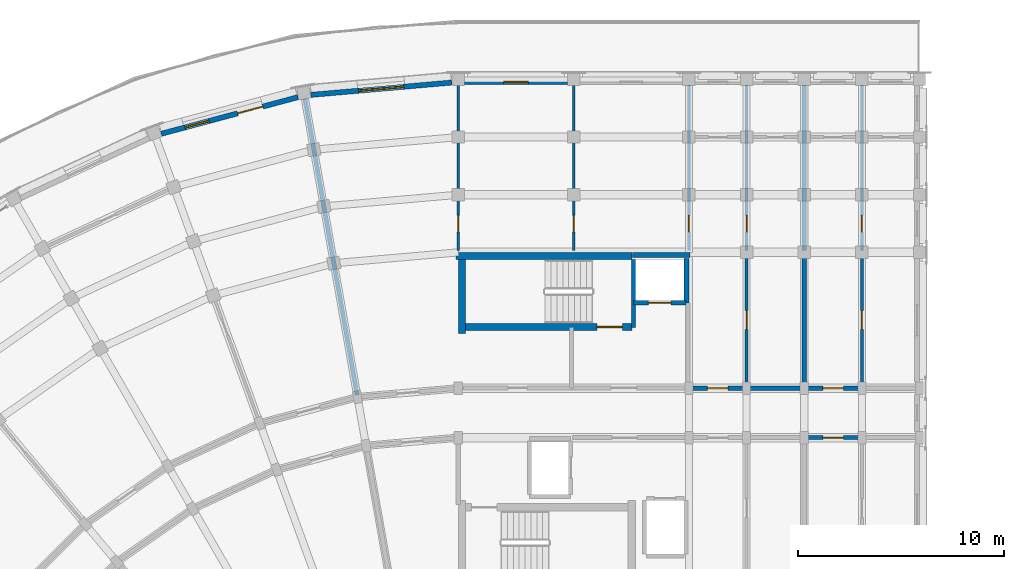
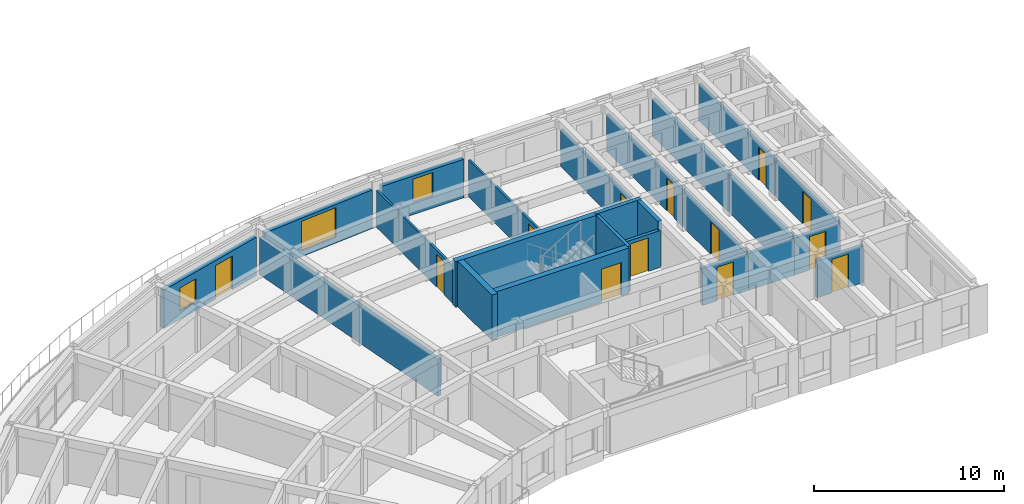
# One storey, part 15 of 32: 24 walls, 13 doors, 3 windows, 16 openings.
"""IFC4 building model written with IfcOpenShell, lengths in metres."""

from ifc_helpers import new_model, si_unit, direction, frame, frame_2d, origin, place, context, subcontext, project, spatial, rectangle, extrude, material, layer, layer_set, type_object, element, fill, save


model = new_model("IFC4")

# Units and contexts
model_context = context("Model", 3, precision=1e-05, world=origin(), true_north=direction((0.0, 1.0)))
body_context = subcontext(model_context, "Body", "Model", "MODEL_VIEW")
ifc_project = project(units=[si_unit("LENGTHUNIT", "METRE"), si_unit("AREAUNIT", "SQUARE_METRE"), si_unit("VOLUMEUNIT", "CUBIC_METRE"), si_unit("PLANEANGLEUNIT", "RADIAN"), si_unit("MASSUNIT", "GRAM", prefix="KILO")], contexts=[model_context])

# Site, building, storey
site_placement = place(None, origin())
site = spatial("IfcSite", under=ifc_project, at=site_placement, CompositionType="ELEMENT")
building_placement = place(site_placement, origin())
building = spatial("IfcBuilding", under=site, at=building_placement, Name="Kiranvali Square Residences", CompositionType="ELEMENT")
storey_placement = place(building_placement, frame((0.0, 0.0, 40.199951171875)))
storey = spatial("IfcBuildingStorey", under=building, at=storey_placement, Name="L12", CompositionType="ELEMENT", Elevation=40.199951171875)

# Wall, opening, door
ifc_material_1 = material(Name="Autoclaved aerated concrete blockwork masonry", Category="masonry")
ifc_layer_1 = layer(ifc_material_1, 0.199951171875)
ifc_layer_set_1 = layer_set([ifc_layer_1], Name="Autoclaved aerated concrete blockwork masonry")
wall_type_1 = type_object("IfcWallType", Name="WL-COR-200", PredefinedType="STANDARD", material=ifc_layer_set_1)
wall_1_placement = place(storey_placement, frame((59.39990234375, 116.0, 0.0), z_axis=(0.0, 0.0, 1.0), x_axis=(1.0, 0.0, 0.0)))
wall_1 = element("IfcWall", 1, at=wall_1_placement, inside=storey, type_object=wall_type_1, Name="L12 architectural wall WL-L12-A-A1CO-0", PredefinedType="STANDARD", context=body_context, shape_type="SweptSolid", body=[
    extrude(rectangle(XDim=2.800048828125, YDim=0.199951171875, at=frame_2d((1.39990234375, 0.0))), origin(), (0.0, 0.0, 1.0), 2.3720703125),
])
opening_1_placement = place(wall_1_placement, frame((0.89990234375, 0.0, 0.0)))
opening_1 = element("IfcOpeningElement", 2, at=opening_1_placement, cuts=wall_1, Name="Opening FD-APT-60", PredefinedType="OPENING", context=body_context, shape_type="SweptSolid", body=[
    extrude(rectangle(XDim=1.0, YDim=2.14990234375, at=frame_2d((0.5, 1.074951171875))), frame((0.0, 0.10986328125, 0.0), z_axis=(0.0, -1.0, 0.0), x_axis=(1.0, 0.0, 0.0)), (0.0, 0.0, 1.0), 0.219970703125),
])
ifc_material_2 = material(Name="Fire-rated acoustic hardwood and mineral-core door assembly", Category="wood")
door_type_1 = type_object("IfcDoorType", Name="DR-APT-1000", OperationType="NOTDEFINED", PredefinedType="DOOR", material=ifc_material_2)
door_1_placement = place(opening_1_placement, frame((1.0, 0.0, 0.0), z_axis=(0.0, 0.0, 1.0), x_axis=(-1.0, 0.0, 0.0)))
door_1 = element("IfcDoor", 3, at=door_1_placement, inside=storey, type_object=door_type_1, Name="L12 door DR-L12-0754 (DR-APT-1000)", OperationType="SINGLE_SWING_RIGHT", OverallHeight=2.14990234375, OverallWidth=1.0, PredefinedType="DOOR", context=body_context, shape_type="SweptSolid", body=[
    extrude(rectangle(XDim=1.0, YDim=2.14990234375, at=frame_2d((0.5, 1.074951171875))), frame((0.0, 0.02490234375, 0.0), z_axis=(0.0, -1.0, 0.0), x_axis=(1.0, 0.0, 0.0)), (0.0, 0.0, 1.0), 0.050048828125),
])
fill(opening_1, door_1)

# Wall
wall_2_placement = place(storey_placement, frame((62.199951171875, 116.0, 0.0), z_axis=(0.0, 0.0, 1.0), x_axis=(1.0, 0.0, 0.0)))
element("IfcWall", 4, at=wall_2_placement, inside=storey, type_object=wall_type_1, Name="L12 architectural wall WL-L12-A-A1CO-1", PredefinedType="STANDARD", context=body_context, shape_type="SweptSolid", body=[
    extrude(rectangle(XDim=2.800048828125, YDim=0.199951171875, at=frame_2d((1.39990234375, 0.0))), origin(), (0.0, 0.0, 1.0), 2.3720703125),
])

# Wall, opening, door
wall_3_placement = place(storey_placement, frame((65.0, 113.60009765625, 0.0), z_axis=(0.0, 0.0, 1.0), x_axis=(1.0, 0.0, 0.0)))
wall_3 = element("IfcWall", 5, at=wall_3_placement, inside=storey, type_object=wall_type_1, Name="L12 architectural wall WL-L12-A-A1CI-2", PredefinedType="STANDARD", context=body_context, shape_type="SweptSolid", body=[
    extrude(rectangle(XDim=2.800048828125, YDim=0.199951171875, at=frame_2d((1.39990234375, 0.0))), origin(), (0.0, 0.0, 1.0), 2.3720703125),
])
opening_2_placement = place(wall_3_placement, frame((0.89990234375, 0.0, 0.0)))
opening_2 = element("IfcOpeningElement", 6, at=opening_2_placement, cuts=wall_3, Name="Opening FD-APT-60", PredefinedType="OPENING", context=body_context, shape_type="SweptSolid", body=[
    extrude(rectangle(XDim=1.0, YDim=2.14990234375, at=frame_2d((0.5, 1.074951171875))), frame((0.0, 0.10986328125, 0.0), z_axis=(0.0, -1.0, 0.0), x_axis=(1.0, 0.0, 0.0)), (0.0, 0.0, 1.0), 0.219970703125),
])
door_2_placement = place(opening_2_placement, frame((1.0, 0.0, 0.0), z_axis=(0.0, 0.0, 1.0), x_axis=(-1.0, 0.0, 0.0)))
door_2 = element("IfcDoor", 7, at=door_2_placement, inside=storey, type_object=door_type_1, Name="L12 door DR-L12-0756 (DR-APT-1000)", OperationType="SINGLE_SWING_RIGHT", OverallHeight=2.14990234375, OverallWidth=1.0, PredefinedType="DOOR", context=body_context, shape_type="SweptSolid", body=[
    extrude(rectangle(XDim=1.0, YDim=2.14990234375, at=frame_2d((0.5, 1.074951171875))), frame((0.0, 0.02490234375, 0.0), z_axis=(0.0, -1.0, 0.0), x_axis=(1.0, 0.0, 0.0)), (0.0, 0.0, 1.0), 0.050048828125),
])
fill(opening_2, door_2)

wall_4_placement = place(storey_placement, frame((65.0, 116.0, 0.0), z_axis=(0.0, 0.0, 1.0), x_axis=(1.0, 0.0, 0.0)))
wall_4 = element("IfcWall", 8, at=wall_4_placement, inside=storey, type_object=wall_type_1, Name="L12 architectural wall WL-L12-A-A1CO-2", PredefinedType="STANDARD", context=body_context, shape_type="SweptSolid", body=[
    extrude(rectangle(XDim=2.800048828125, YDim=0.199951171875, at=frame_2d((1.39990234375, 0.0))), origin(), (0.0, 0.0, 1.0), 2.3720703125),
])
opening_3_placement = place(wall_4_placement, frame((0.89990234375, 0.0, 0.0)))
opening_3 = element("IfcOpeningElement", 9, at=opening_3_placement, cuts=wall_4, Name="Opening FD-APT-60", PredefinedType="OPENING", context=body_context, shape_type="SweptSolid", body=[
    extrude(rectangle(XDim=1.0, YDim=2.14990234375, at=frame_2d((0.5, 1.074951171875))), frame((0.0, 0.10986328125, 0.0), z_axis=(0.0, -1.0, 0.0), x_axis=(1.0, 0.0, 0.0)), (0.0, 0.0, 1.0), 0.219970703125),
])
door_3_placement = place(opening_3_placement, frame((1.0, 0.0, 0.0), z_axis=(0.0, 0.0, 1.0), x_axis=(-1.0, 0.0, 0.0)))
door_3 = element("IfcDoor", 10, at=door_3_placement, inside=storey, type_object=door_type_1, Name="L12 door DR-L12-0758 (DR-APT-1000)", OperationType="SINGLE_SWING_RIGHT", OverallHeight=2.14990234375, OverallWidth=1.0, PredefinedType="DOOR", context=body_context, shape_type="SweptSolid", body=[
    extrude(rectangle(XDim=1.0, YDim=2.14990234375, at=frame_2d((0.5, 1.074951171875))), frame((0.0, 0.02490234375, 0.0), z_axis=(0.0, -1.0, 0.0), x_axis=(1.0, 0.0, 0.0)), (0.0, 0.0, 1.0), 0.050048828125),
])
fill(opening_3, door_3)

# Walls
ifc_layer_2 = layer(ifc_material_1, 0.219970703125)
ifc_layer_set_2 = layer_set([ifc_layer_2], Name="Autoclaved aerated concrete blockwork masonry")
wall_type_2 = type_object("IfcWallType", Name="WL-DEM-220", PredefinedType="STANDARD", material=ifc_layer_set_2)
wall_5_placement = place(storey_placement, frame((65.0, 116.050048828125, 0.0), z_axis=(0.0, 0.0, 1.0), x_axis=(0.0, 1.0, 0.0)))
element("IfcWall", 11, at=wall_5_placement, inside=storey, type_object=wall_type_2, Name="L12 architectural wall WL-L12-A-A1TO1-2", PredefinedType="STANDARD", context=body_context, shape_type="SweptSolid", body=[
    extrude(rectangle(XDim=6.530029296875, YDim=0.219970703125, at=frame_2d((3.26513671875, 0.0))), origin(), (0.0, 0.0, 1.0), 2.3720703125),
])
wall_6_placement = place(storey_placement, frame((65.0, 122.699951171875, 0.0), z_axis=(0.0, 0.0, 1.0), x_axis=(0.0, 1.0, 0.0)))
element("IfcWall", 12, at=wall_6_placement, inside=storey, type_object=wall_type_2, Name="L12 architectural wall WL-L12-A-A1TO2-2", PredefinedType="STANDARD", context=body_context, shape_type="SweptSolid", body=[
    extrude(rectangle(XDim=8.02001953125, YDim=0.219970703125, at=frame_2d((4.010009765625, 0.0))), origin(), (0.0, 0.0, 1.0), 2.3720703125),
])
wall_7_placement = place(storey_placement, frame((43.28564453125, 115.670166015625, 0.0), z_axis=(0.0, 0.0, 1.0), x_axis=(-0.173639577162, 0.984809269474, 0.0)))
element("IfcWall", 13, at=wall_7_placement, inside=storey, type_object=wall_type_2, Name="L12 architectural wall WL-L12-A-RADO-1", PredefinedType="STANDARD", context=body_context, shape_type="SweptSolid", body=[
    extrude(rectangle(XDim=14.619873046875, YDim=0.219970703125, at=frame_2d((7.31005859375, 0.0))), origin(), (0.0, 0.0, 1.0), 2.3720703125),
])

# Wall, opening, window
ifc_material_3 = material(Name="Breathable lime-rendered clay brick masonry", Category="masonry")
ifc_layer_3 = layer(ifc_material_3, 0.25)
ifc_layer_set_3 = layer_set([ifc_layer_3], Name="Breathable lime-rendered clay brick masonry")
wall_type_3 = type_object("IfcWallType", Name="WL-EXT-250", PredefinedType="STANDARD", material=ifc_layer_set_3)
wall_8_placement = place(storey_placement, frame((47.886474609375, 130.84716796875, 0.0), z_axis=(0.0, 0.0, 1.0), x_axis=(-0.996193833065, -0.087165629485, 0.0)))
wall_8 = element("IfcWall", 14, at=wall_8_placement, inside=storey, type_object=wall_type_3, Name="L12 exterior wall A-L12-CRV-00", PredefinedType="STANDARD", context=body_context, shape_type="SweptSolid", body=[
    extrude(rectangle(XDim=6.87890625, YDim=0.25, at=frame_2d((3.439453125, 0.0))), origin(), (0.0, 0.0, 1.0), 2.47998046875),
])
opening_4_placement = place(wall_8_placement, frame((2.339599609375, 0.0, 0.3798828125)))
opening_4 = element("IfcOpeningElement", 15, at=opening_4_placement, cuts=wall_8, Name="Opening W-20", PredefinedType="OPENING", context=body_context, shape_type="SweptSolid", body=[
    extrude(rectangle(XDim=2.199951171875, YDim=1.89990234375, at=frame_2d((1.10009765625, 0.949951171875))), frame((0.0, 0.135009765625, 0.0), z_axis=(0.0, -1.0, 0.0), x_axis=(1.0, 0.0, 0.0)), (0.0, 0.0, 1.0), 0.27001953125),
])
ifc_material_4 = material(Name="Solar-control low-e double glazing", Category="glass")
window_type_1 = type_object("IfcWindowType", Name="WIN-TER-2200x1900", PartitioningType="TRIPLE_PANEL_VERTICAL", PredefinedType="WINDOW", material=ifc_material_4)
window_1_placement = place(opening_4_placement, origin())
window_1 = element("IfcWindow", 16, at=window_1_placement, inside=storey, type_object=window_type_1, Name="L12 recessed window A-L12-CRV-00", OverallHeight=1.89990234375, OverallWidth=2.199951171875, PartitioningType="TRIPLE_PANEL_VERTICAL", PredefinedType="WINDOW", context=body_context, shape_type="SweptSolid", body=[
    extrude(rectangle(XDim=2.199951171875, YDim=1.89990234375, at=frame_2d((1.10009765625, 0.949951171875))), frame((0.0, 0.030029296875, 0.0), z_axis=(0.0, -1.0, 0.0), x_axis=(1.0, 0.0, 0.0)), (0.0, 0.0, 1.0), 0.06005859375),
])
fill(opening_4, window_1)

# Wall, openings, door, window
wall_9_placement = place(storey_placement, frame((40.416259765625, 130.138671875, 0.0), z_axis=(0.0, 0.0, 1.0), x_axis=(-0.965921436109, -0.258835428922, 0.0)))
wall_9 = element("IfcWall", 17, at=wall_9_placement, inside=storey, type_object=wall_type_3, Name="L12 exterior wall A-L12-CRV-01", PredefinedType="STANDARD", context=body_context, shape_type="SweptSolid", body=[
    extrude(rectangle(XDim=6.87890625, YDim=0.25, at=frame_2d((3.439453125, 0.0))), origin(), (0.0, 0.0, 1.0), 2.47998046875),
])
opening_5_placement = place(wall_9_placement, frame((4.478759765625, 0.0, 0.530029296875)))
opening_5 = element("IfcOpeningElement", 18, at=opening_5_placement, cuts=wall_9, Name="Opening W-06", PredefinedType="OPENING", context=body_context, shape_type="SweptSolid", body=[
    extrude(rectangle(XDim=1.199951171875, YDim=1.5, at=frame_2d((0.60009765625, 0.75))), frame((0.0, 0.135009765625, 0.0), z_axis=(0.0, -1.0, 0.0), x_axis=(1.0, 0.0, 0.0)), (0.0, 0.0, 1.0), 0.27001953125),
])
opening_6_placement = place(wall_9_placement, frame((1.777587890625, 0.0, 0.0)))
opening_6 = element("IfcOpeningElement", 19, at=opening_6_placement, cuts=wall_9, Name="Opening ED-BAL-2", PredefinedType="OPENING", context=body_context, shape_type="SweptSolid", body=[
    extrude(rectangle(XDim=1.260009765625, YDim=2.14990234375, at=frame_2d((0.6298828125, 1.074951171875))), frame((0.0, 0.135009765625, 0.0), z_axis=(0.0, -1.0, 0.0), x_axis=(1.0, 0.0, 0.0)), (0.0, 0.0, 1.0), 0.27001953125),
])
ifc_material_5 = material(Name="Anodised bronze aluminium framing", Category="aluminium")
door_type_2 = type_object("IfcDoorType", Name="DR-BAL-1260", OperationType="NOTDEFINED", PredefinedType="DOOR", material=ifc_material_5)
door_4_placement = place(opening_6_placement, frame((1.260009765625, 0.0, 0.0), z_axis=(0.0, 0.0, 1.0), x_axis=(-1.0, 0.0, 0.0)))
door_4 = element("IfcDoor", 20, at=door_4_placement, inside=storey, type_object=door_type_2, Name="L12 balcony terrace door", OperationType="SINGLE_SWING_RIGHT", OverallHeight=2.14990234375, OverallWidth=1.260009765625, PredefinedType="DOOR", context=body_context, shape_type="SweptSolid", body=[
    extrude(rectangle(XDim=1.260009765625, YDim=2.14990234375, at=frame_2d((0.6298828125, 1.074951171875))), frame((0.0, 0.02490234375, 0.0), z_axis=(0.0, -1.0, 0.0), x_axis=(1.0, 0.0, 0.0)), (0.0, 0.0, 1.0), 0.050048828125),
])
fill(opening_6, door_4)
window_type_2 = type_object("IfcWindowType", Name="WIN-RES-1200x1500", PartitioningType="SINGLE_PANEL", PredefinedType="WINDOW", material=ifc_material_4)
window_2_placement = place(opening_5_placement, origin())
window_2 = element("IfcWindow", 21, at=window_2_placement, inside=storey, type_object=window_type_2, Name="L12 recessed window A-L12-CRV-01", OverallHeight=1.5, OverallWidth=1.199951171875, PartitioningType="SINGLE_PANEL", PredefinedType="WINDOW", context=body_context, shape_type="SweptSolid", body=[
    extrude(rectangle(XDim=1.199951171875, YDim=1.5, at=frame_2d((0.60009765625, 0.75))), frame((0.0, 0.030029296875, 0.0), z_axis=(0.0, -1.0, 0.0), x_axis=(1.0, 0.0, 0.0)), (0.0, 0.0, 1.0), 0.06005859375),
])
fill(opening_5, window_2)

# Wall, opening, window
wall_10_placement = place(storey_placement, frame((48.50341796875, 130.875, 0.0), z_axis=(0.0, 0.0, 1.0), x_axis=(1.0, 0.0, 0.0)))
wall_10 = element("IfcWall", 22, at=wall_10_placement, inside=storey, type_object=wall_type_3, Name="L12 exterior wall A-L12-A1O-0", PredefinedType="STANDARD", context=body_context, shape_type="SweptSolid", body=[
    extrude(rectangle(XDim=4.9931640625, YDim=0.25, at=frame_2d((2.49658203125, 0.0))), origin(), (0.0, 0.0, 1.0), 2.47998046875),
])
opening_7_placement = place(wall_10_placement, frame((1.896484375, 0.0, 0.780029296875)))
opening_7 = element("IfcOpeningElement", 23, at=opening_7_placement, cuts=wall_10, Name="Opening W-06", PredefinedType="OPENING", context=body_context, shape_type="SweptSolid", body=[
    extrude(rectangle(XDim=1.199951171875, YDim=1.5, at=frame_2d((0.60009765625, 0.75))), frame((0.0, 0.135009765625, 0.0), z_axis=(0.0, -1.0, 0.0), x_axis=(1.0, 0.0, 0.0)), (0.0, 0.0, 1.0), 0.27001953125),
])
window_3_placement = place(opening_7_placement, origin())
window_3 = element("IfcWindow", 24, at=window_3_placement, inside=storey, type_object=window_type_2, Name="L12 recessed window A-L12-A1O-0", OverallHeight=1.5, OverallWidth=1.199951171875, PartitioningType="SINGLE_PANEL", PredefinedType="WINDOW", context=body_context, shape_type="SweptSolid", body=[
    extrude(rectangle(XDim=1.199951171875, YDim=1.5, at=frame_2d((0.60009765625, 0.75))), frame((0.0, 0.030029296875, 0.0), z_axis=(0.0, -1.0, 0.0), x_axis=(1.0, 0.0, 0.0)), (0.0, 0.0, 1.0), 0.06005859375),
])
fill(opening_7, window_3)

# Wall, opening, door
ifc_layer_4 = layer(ifc_material_1, 0.199951171875)
ifc_layer_set_4 = layer_set([ifc_layer_4], Name="Autoclaved aerated concrete blockwork masonry")
wall_type_4 = type_object("IfcWallType", Name="WL-FFL-200", PredefinedType="STANDARD", material=ifc_layer_set_4)
wall_11_placement = place(storey_placement, frame((56.699951171875, 120.14990234375, 0.0), z_axis=(0.0, 0.0, 1.0), x_axis=(1.0, 0.0, 0.0)))
wall_11 = element("IfcWall", 25, at=wall_11_placement, inside=storey, type_object=wall_type_4, Name="L12 architectural wall WL-L12-A-FF-LFT", PredefinedType="STANDARD", context=body_context, shape_type="SweptSolid", body=[
    extrude(rectangle(XDim=2.550048828125, YDim=0.199951171875, at=frame_2d((1.27490234375, 0.0))), origin(), (0.0, 0.0, 1.0), 2.3720703125),
])
opening_8_placement = place(wall_11_placement, frame((0.72509765625, 0.0, 0.0)))
opening_8 = element("IfcOpeningElement", 26, at=opening_8_placement, cuts=wall_11, Name="Opening LD-FF-110", PredefinedType="OPENING", context=body_context, shape_type="SweptSolid", body=[
    extrude(rectangle(XDim=1.10009765625, YDim=2.14990234375, at=frame_2d((0.550048828125, 1.074951171875))), frame((0.0, 0.10986328125, 0.0), z_axis=(0.0, -1.0, 0.0), x_axis=(1.0, 0.0, 0.0)), (0.0, 0.0, 1.0), 0.219970703125),
])
door_type_3 = type_object("IfcDoorType", Name="DR-LIFT-FF-1100", OperationType="SLIDING_TO_LEFT", PredefinedType="DOOR", material=ifc_material_2)
door_5_placement = place(opening_8_placement, origin())
door_5 = element("IfcDoor", 27, at=door_5_placement, inside=storey, type_object=door_type_3, Name="L12 door DR-L12-0742 (DR-LIFT-FF-1100)", OperationType="SLIDING_TO_LEFT", OverallHeight=2.14990234375, OverallWidth=1.10009765625, PredefinedType="DOOR", context=body_context, shape_type="SweptSolid", body=[
    extrude(rectangle(XDim=1.10009765625, YDim=2.14990234375, at=frame_2d((0.550048828125, 1.074951171875))), frame((0.0, 0.02490234375, 0.0), z_axis=(0.0, -1.0, 0.0), x_axis=(1.0, 0.0, 0.0)), (0.0, 0.0, 1.0), 0.050048828125),
])
fill(opening_8, door_5)

ifc_material_6 = material(Name="Acoustic gypsum board drylined partition", Category="gypsum")
ifc_layer_5 = layer(ifc_material_6, 0.125)
ifc_layer_set_5 = layer_set([ifc_layer_5], Name="Acoustic gypsum board drylined partition")
wall_type_5 = type_object("IfcWallType", Name="WL-PRT-125", PredefinedType="PARTITIONING", material=ifc_layer_set_5)
wall_12_placement = place(storey_placement, frame((53.800048828125, 122.699951171875, 0.0), z_axis=(0.0, 0.0, 1.0), x_axis=(0.0, 1.0, 0.0)))
wall_12 = element("IfcWall", 28, at=wall_12_placement, inside=storey, type_object=wall_type_5, Name="L12 architectural wall WL-L12-A-CF-MID", PredefinedType="PARTITIONING", context=body_context, shape_type="SweptSolid", body=[
    extrude(rectangle(XDim=8.02001953125, YDim=0.125, at=frame_2d((4.010009765625, 0.0))), origin(), (0.0, 0.0, 1.0), 2.3720703125),
])
opening_9_placement = place(wall_12_placement, frame((0.900146484375, 0.0, 0.0)))
opening_9 = element("IfcOpeningElement", 29, at=opening_9_placement, cuts=wall_12, Name="Opening ID-WET", PredefinedType="OPENING", context=body_context, shape_type="SweptSolid", body=[
    extrude(rectangle(XDim=0.800048828125, YDim=2.10009765625, at=frame_2d((0.39990234375, 1.050048828125))), frame((0.0, 0.072509765625, 0.0), z_axis=(0.0, -1.0, 0.0), x_axis=(1.0, 0.0, 0.0)), (0.0, 0.0, 1.0), 0.14501953125),
])
ifc_material_7 = material(Name="Solid seasoned teak hardwood joinery", Category="wood")
door_type_4 = type_object("IfcDoorType", Name="DR-WET-800", OperationType="NOTDEFINED", PredefinedType="DOOR", material=ifc_material_7)
door_6_placement = place(opening_9_placement, origin())
door_6 = element("IfcDoor", 30, at=door_6_placement, inside=storey, type_object=door_type_4, Name="L12 door DR-L12-0751 (DR-WET-800)", OperationType="SINGLE_SWING_LEFT", OverallHeight=2.10009765625, OverallWidth=0.800048828125, PredefinedType="DOOR", context=body_context, shape_type="SweptSolid", body=[
    extrude(rectangle(XDim=0.800048828125, YDim=2.10009765625, at=frame_2d((0.39990234375, 1.050048828125))), frame((0.0, 0.02490234375, 0.0), z_axis=(0.0, -1.0, 0.0), x_axis=(1.0, 0.0, 0.0)), (0.0, 0.0, 1.0), 0.050048828125),
])
fill(opening_9, door_6)

wall_13_placement = place(storey_placement, frame((48.199951171875, 122.699951171875, 0.0), z_axis=(0.0, 0.0, 1.0), x_axis=(0.0, 1.0, 0.0)))
wall_13 = element("IfcWall", 31, at=wall_13_placement, inside=storey, type_object=wall_type_5, Name="L12 architectural wall WL-L12-A-RADO-0", PredefinedType="PARTITIONING", context=body_context, shape_type="SweptSolid", body=[
    extrude(rectangle(XDim=8.02001953125, YDim=0.125, at=frame_2d((4.010009765625, 0.0))), origin(), (0.0, 0.0, 1.0), 2.3720703125),
])
opening_10_placement = place(wall_13_placement, frame((0.900146484375, 0.0, 0.0)))
opening_10 = element("IfcOpeningElement", 32, at=opening_10_placement, cuts=wall_13, Name="Opening ID-WET", PredefinedType="OPENING", context=body_context, shape_type="SweptSolid", body=[
    extrude(rectangle(XDim=0.800048828125, YDim=2.10009765625, at=frame_2d((0.39990234375, 1.050048828125))), frame((0.0, 0.072509765625, 0.0), z_axis=(0.0, -1.0, 0.0), x_axis=(1.0, 0.0, 0.0)), (0.0, 0.0, 1.0), 0.14501953125),
])
door_7_placement = place(opening_10_placement, origin())
door_7 = element("IfcDoor", 33, at=door_7_placement, inside=storey, type_object=door_type_4, Name="L12 door DR-L12-0767 (DR-WET-800)", OperationType="SINGLE_SWING_LEFT", OverallHeight=2.10009765625, OverallWidth=0.800048828125, PredefinedType="DOOR", context=body_context, shape_type="SweptSolid", body=[
    extrude(rectangle(XDim=0.800048828125, YDim=2.10009765625, at=frame_2d((0.39990234375, 1.050048828125))), frame((0.0, 0.02490234375, 0.0), z_axis=(0.0, -1.0, 0.0), x_axis=(1.0, 0.0, 0.0)), (0.0, 0.0, 1.0), 0.050048828125),
])
fill(opening_10, door_7)

ifc_layer_6 = layer(ifc_material_6, 0.14990234375)
ifc_layer_set_6 = layer_set([ifc_layer_6], Name="Acoustic gypsum board drylined partition")
wall_type_6 = type_object("IfcWallType", Name="WL-PRT-150", PredefinedType="PARTITIONING", material=ifc_layer_set_6)
wall_14_placement = place(storey_placement, frame((59.39990234375, 122.699951171875, 0.0), z_axis=(0.0, 0.0, 1.0), x_axis=(0.0, 1.0, 0.0)))
wall_14 = element("IfcWall", 34, at=wall_14_placement, inside=storey, type_object=wall_type_6, Name="L12 architectural wall WL-L12-A-A1TO2-0", PredefinedType="PARTITIONING", context=body_context, shape_type="SweptSolid", body=[
    extrude(rectangle(XDim=8.02001953125, YDim=0.14990234375, at=frame_2d((4.010009765625, 0.0))), origin(), (0.0, 0.0, 1.0), 2.3720703125),
])
opening_11_placement = place(wall_14_placement, frame((0.900146484375, 0.0, 0.0)))
opening_11 = element("IfcOpeningElement", 35, at=opening_11_placement, cuts=wall_14, Name="Opening ID-WET", PredefinedType="OPENING", context=body_context, shape_type="SweptSolid", body=[
    extrude(rectangle(XDim=0.800048828125, YDim=2.10009765625, at=frame_2d((0.39990234375, 1.050048828125))), frame((0.0, 0.0849609375, 0.0), z_axis=(0.0, -1.0, 0.0), x_axis=(1.0, 0.0, 0.0)), (0.0, 0.0, 1.0), 0.169921875),
])
door_8_placement = place(opening_11_placement, frame((0.800048828125, 0.0, 0.0), z_axis=(0.0, 0.0, 1.0), x_axis=(-1.0, 0.0, 0.0)))
door_8 = element("IfcDoor", 36, at=door_8_placement, inside=storey, type_object=door_type_4, Name="L12 door DR-L12-0760 (DR-WET-800)", OperationType="SINGLE_SWING_RIGHT", OverallHeight=2.10009765625, OverallWidth=0.800048828125, PredefinedType="DOOR", context=body_context, shape_type="SweptSolid", body=[
    extrude(rectangle(XDim=0.800048828125, YDim=2.10009765625, at=frame_2d((0.39990234375, 1.050048828125))), frame((0.0, 0.02490234375, 0.0), z_axis=(0.0, -1.0, 0.0), x_axis=(1.0, 0.0, 0.0)), (0.0, 0.0, 1.0), 0.050048828125),
])
fill(opening_11, door_8)

wall_15_placement = place(storey_placement, frame((62.199951171875, 116.050048828125, 0.0), z_axis=(0.0, 0.0, 1.0), x_axis=(0.0, 1.0, 0.0)))
wall_15 = element("IfcWall", 37, at=wall_15_placement, inside=storey, type_object=wall_type_6, Name="L12 architectural wall WL-L12-A-A1TO1-1", PredefinedType="PARTITIONING", context=body_context, shape_type="SweptSolid", body=[
    extrude(rectangle(XDim=6.530029296875, YDim=0.14990234375, at=frame_2d((3.26513671875, 0.0))), origin(), (0.0, 0.0, 1.0), 2.3720703125),
])
opening_12_placement = place(wall_15_placement, frame((2.81494140625, 0.0, 0.0)))
opening_12 = element("IfcOpeningElement", 38, at=opening_12_placement, cuts=wall_15, Name="Opening ID-1", PredefinedType="OPENING", context=body_context, shape_type="SweptSolid", body=[
    extrude(rectangle(XDim=0.89990234375, YDim=2.10009765625, at=frame_2d((0.449951171875, 1.050048828125))), frame((0.0, 0.0849609375, 0.0), z_axis=(0.0, -1.0, 0.0), x_axis=(1.0, 0.0, 0.0)), (0.0, 0.0, 1.0), 0.169921875),
])
door_type_5 = type_object("IfcDoorType", Name="DR-INT-900", OperationType="NOTDEFINED", PredefinedType="DOOR", material=ifc_material_7)
door_9_placement = place(opening_12_placement, frame((0.89990234375, 0.0, 0.0), z_axis=(0.0, 0.0, 1.0), x_axis=(-1.0, 0.0, 0.0)))
door_9 = element("IfcDoor", 39, at=door_9_placement, inside=storey, type_object=door_type_5, Name="L12 door DR-L12-0762 (DR-INT-900)", OperationType="SINGLE_SWING_RIGHT", OverallHeight=2.10009765625, OverallWidth=0.89990234375, PredefinedType="DOOR", context=body_context, shape_type="SweptSolid", body=[
    extrude(rectangle(XDim=0.89990234375, YDim=2.10009765625, at=frame_2d((0.449951171875, 1.050048828125))), frame((0.0, 0.02490234375, 0.0), z_axis=(0.0, -1.0, 0.0), x_axis=(1.0, 0.0, 0.0)), (0.0, 0.0, 1.0), 0.050048828125),
])
fill(opening_12, door_9)

wall_16_placement = place(storey_placement, frame((62.199951171875, 122.699951171875, 0.0), z_axis=(0.0, 0.0, 1.0), x_axis=(0.0, 1.0, 0.0)))
wall_16 = element("IfcWall", 40, at=wall_16_placement, inside=storey, type_object=wall_type_6, Name="L12 architectural wall WL-L12-A-A1TO2-1", PredefinedType="PARTITIONING", context=body_context, shape_type="SweptSolid", body=[
    extrude(rectangle(XDim=8.02001953125, YDim=0.14990234375, at=frame_2d((4.010009765625, 0.0))), origin(), (0.0, 0.0, 1.0), 2.3720703125),
])
opening_13_placement = place(wall_16_placement, frame((0.900146484375, 0.0, 0.0)))
opening_13 = element("IfcOpeningElement", 41, at=opening_13_placement, cuts=wall_16, Name="Opening ID-WET", PredefinedType="OPENING", context=body_context, shape_type="SweptSolid", body=[
    extrude(rectangle(XDim=0.800048828125, YDim=2.10009765625, at=frame_2d((0.39990234375, 1.050048828125))), frame((0.0, 0.0849609375, 0.0), z_axis=(0.0, -1.0, 0.0), x_axis=(1.0, 0.0, 0.0)), (0.0, 0.0, 1.0), 0.169921875),
])
door_10_placement = place(opening_13_placement, origin())
door_10 = element("IfcDoor", 42, at=door_10_placement, inside=storey, type_object=door_type_4, Name="L12 door DR-L12-0763 (DR-WET-800)", OperationType="SINGLE_SWING_LEFT", OverallHeight=2.10009765625, OverallWidth=0.800048828125, PredefinedType="DOOR", context=body_context, shape_type="SweptSolid", body=[
    extrude(rectangle(XDim=0.800048828125, YDim=2.10009765625, at=frame_2d((0.39990234375, 1.050048828125))), frame((0.0, 0.02490234375, 0.0), z_axis=(0.0, -1.0, 0.0), x_axis=(1.0, 0.0, 0.0)), (0.0, 0.0, 1.0), 0.050048828125),
])
fill(opening_13, door_10)

wall_17_placement = place(storey_placement, frame((67.800048828125, 116.050048828125, 0.0), z_axis=(0.0, 0.0, 1.0), x_axis=(0.0, 1.0, 0.0)))
wall_17 = element("IfcWall", 43, at=wall_17_placement, inside=storey, type_object=wall_type_6, Name="L12 architectural wall WL-L12-A-A1TO1-3", PredefinedType="PARTITIONING", context=body_context, shape_type="SweptSolid", body=[
    extrude(rectangle(XDim=6.530029296875, YDim=0.14990234375, at=frame_2d((3.26513671875, 0.0))), origin(), (0.0, 0.0, 1.0), 2.3720703125),
])
opening_14_placement = place(wall_17_placement, frame((2.81494140625, 0.0, 0.0)))
opening_14 = element("IfcOpeningElement", 44, at=opening_14_placement, cuts=wall_17, Name="Opening ID-1", PredefinedType="OPENING", context=body_context, shape_type="SweptSolid", body=[
    extrude(rectangle(XDim=0.89990234375, YDim=2.10009765625, at=frame_2d((0.449951171875, 1.050048828125))), frame((0.0, 0.0849609375, 0.0), z_axis=(0.0, -1.0, 0.0), x_axis=(1.0, 0.0, 0.0)), (0.0, 0.0, 1.0), 0.169921875),
])
door_11_placement = place(opening_14_placement, origin())
door_11 = element("IfcDoor", 45, at=door_11_placement, inside=storey, type_object=door_type_5, Name="L12 door DR-L12-0765 (DR-INT-900)", OperationType="SINGLE_SWING_LEFT", OverallHeight=2.10009765625, OverallWidth=0.89990234375, PredefinedType="DOOR", context=body_context, shape_type="SweptSolid", body=[
    extrude(rectangle(XDim=0.89990234375, YDim=2.10009765625, at=frame_2d((0.449951171875, 1.050048828125))), frame((0.0, 0.02490234375, 0.0), z_axis=(0.0, -1.0, 0.0), x_axis=(1.0, 0.0, 0.0)), (0.0, 0.0, 1.0), 0.050048828125),
])
fill(opening_14, door_11)

wall_18_placement = place(storey_placement, frame((67.800048828125, 122.699951171875, 0.0), z_axis=(0.0, 0.0, 1.0), x_axis=(0.0, 1.0, 0.0)))
wall_18 = element("IfcWall", 46, at=wall_18_placement, inside=storey, type_object=wall_type_6, Name="L12 architectural wall WL-L12-A-A1TO2-3", PredefinedType="PARTITIONING", context=body_context, shape_type="SweptSolid", body=[
    extrude(rectangle(XDim=8.02001953125, YDim=0.14990234375, at=frame_2d((4.010009765625, 0.0))), origin(), (0.0, 0.0, 1.0), 2.3720703125),
])
opening_15_placement = place(wall_18_placement, frame((0.900146484375, 0.0, 0.0)))
opening_15 = element("IfcOpeningElement", 47, at=opening_15_placement, cuts=wall_18, Name="Opening ID-WET", PredefinedType="OPENING", context=body_context, shape_type="SweptSolid", body=[
    extrude(rectangle(XDim=0.800048828125, YDim=2.10009765625, at=frame_2d((0.39990234375, 1.050048828125))), frame((0.0, 0.0849609375, 0.0), z_axis=(0.0, -1.0, 0.0), x_axis=(1.0, 0.0, 0.0)), (0.0, 0.0, 1.0), 0.169921875),
])
door_12_placement = place(opening_15_placement, frame((0.800048828125, 0.0, 0.0), z_axis=(0.0, 0.0, 1.0), x_axis=(-1.0, 0.0, 0.0)))
door_12 = element("IfcDoor", 48, at=door_12_placement, inside=storey, type_object=door_type_4, Name="L12 door DR-L12-0766 (DR-WET-800)", OperationType="SINGLE_SWING_RIGHT", OverallHeight=2.10009765625, OverallWidth=0.800048828125, PredefinedType="DOOR", context=body_context, shape_type="SweptSolid", body=[
    extrude(rectangle(XDim=0.800048828125, YDim=2.10009765625, at=frame_2d((0.39990234375, 1.050048828125))), frame((0.0, 0.02490234375, 0.0), z_axis=(0.0, -1.0, 0.0), x_axis=(1.0, 0.0, 0.0)), (0.0, 0.0, 1.0), 0.050048828125),
])
fill(opening_15, door_12)

# Walls
ifc_layer_7 = layer(ifc_material_1, 0.199951171875)
ifc_layer_set_7 = layer_set([ifc_layer_7], Name="Autoclaved aerated concrete blockwork masonry")
wall_type_7 = type_object("IfcWallType", Name="WL-SHF-200", PredefinedType="STANDARD", material=ifc_layer_set_7)
wall_19_placement = place(storey_placement, frame((56.699951171875, 118.949951171875, 0.0), z_axis=(0.0, 0.0, 1.0), x_axis=(0.0, 1.0, 0.0)))
element("IfcWall", 49, at=wall_19_placement, inside=storey, type_object=wall_type_7, Name="L12 architectural wall WL-L12-A-FF-SHF", PredefinedType="STANDARD", context=body_context, shape_type="SweptSolid", body=[
    extrude(rectangle(XDim=3.300048828125, YDim=0.199951171875, at=frame_2d((1.64990234375, 0.0))), origin(), (0.0, 0.0, 1.0), 2.929931640625),
])
ifc_material_8 = material(Name="Concrete M45 (45 MPa)", Category="concrete")
ifc_layer_8 = layer(ifc_material_8, 0.25)
ifc_layer_set_8 = layer_set([ifc_layer_8], Name="Concrete M45 (45 MPa)")
wall_type_8 = type_object("IfcWallType", Name="WL-SHR-250", PredefinedType="SHEAR", material=ifc_layer_set_8)
wall_20_placement = place(storey_placement, frame((56.64990234375, 122.47509765625, 0.0), z_axis=(0.0, 0.0, 1.0), x_axis=(1.0, 0.0, 0.0)))
element("IfcWall", 50, at=wall_20_placement, inside=storey, type_object=wall_type_8, Name="Block A core shear wall SW-AFF-BK-L12", PredefinedType="SHEAR", context=body_context, shape_type="SweptSolid", body=[
    extrude(rectangle(XDim=2.800048828125, YDim=0.25, at=frame_2d((1.39990234375, 0.0))), origin(), (0.0, 0.0, 1.0), 2.929931640625),
])
wall_21_placement = place(storey_placement, frame((59.27490234375, 120.14990234375, 0.0), z_axis=(0.0, 0.0, 1.0), x_axis=(0.0, 1.0, 0.0)))
element("IfcWall", 51, at=wall_21_placement, inside=storey, type_object=wall_type_8, Name="Block A core shear wall SW-AFF-SD-L12", PredefinedType="SHEAR", context=body_context, shape_type="SweptSolid", body=[
    extrude(rectangle(XDim=2.150146484375, YDim=0.25, at=frame_2d((1.0751953125, 0.0))), origin(), (0.0, 0.0, 1.0), 2.929931640625),
])
ifc_layer_9 = layer(ifc_material_8, 0.320068359375)
ifc_layer_set_9 = layer_set([ifc_layer_9], Name="Concrete M45 (45 MPa)")
wall_type_9 = type_object("IfcWallType", Name="WL-SHR-320", PredefinedType="SHEAR", material=ifc_layer_set_9)
wall_22_placement = place(storey_placement, frame((48.080078125, 122.425048828125, 0.0), z_axis=(0.0, 0.0, 1.0), x_axis=(1.0, 0.0, 0.0)))
element("IfcWall", 52, at=wall_22_placement, inside=storey, type_object=wall_type_9, Name="Block A core shear wall SW-A1-OUT-L12", PredefinedType="SHEAR", context=body_context, shape_type="SweptSolid", body=[
    extrude(rectangle(XDim=8.544921875, YDim=0.35009765625, at=frame_2d((4.2724609375, 0.0))), origin(), (0.0, 0.0, 1.0), 2.929931640625),
])

# Wall, opening, door
wall_23_placement = place(storey_placement, frame((48.550048828125, 118.97509765625, 0.0), z_axis=(0.0, 0.0, 1.0), x_axis=(1.0, 0.0, 0.0)))
wall_23 = element("IfcWall", 53, at=wall_23_placement, inside=storey, type_object=wall_type_9, Name="Block A core shear wall SW-A1-IN-L12", PredefinedType="SHEAR", context=body_context, shape_type="SweptSolid", body=[
    extrude(rectangle(XDim=8.074951171875, YDim=0.35009765625, at=frame_2d((4.03759765625, 0.0))), origin(), (0.0, 0.0, 1.0), 2.929931640625),
])
opening_16_placement = place(wall_23_placement, frame((6.3798828125, 0.0, 0.0)))
opening_16 = element("IfcOpeningElement", 54, at=opening_16_placement, cuts=wall_23, Name="Opening FD-ST-120", PredefinedType="OPENING", context=body_context, shape_type="SweptSolid", body=[
    extrude(rectangle(XDim=1.239990234375, YDim=2.14990234375, at=frame_2d((0.6201171875, 1.074951171875))), frame((0.0, 0.18505859375, 0.0), z_axis=(0.0, -1.0, 0.0), x_axis=(1.0, 0.0, 0.0)), (0.0, 0.0, 1.0), 0.3701171875),
])
door_type_6 = type_object("IfcDoorType", Name="DR-FD120-1200", OperationType="NOTDEFINED", PredefinedType="DOOR", material=ifc_material_2)
door_13_placement = place(opening_16_placement, origin())
door_13 = element("IfcDoor", 55, at=door_13_placement, inside=storey, type_object=door_type_6, Name="L12 door DR-L12-0743 (DR-FD120-1200)", OperationType="SINGLE_SWING_LEFT", OverallHeight=2.14990234375, OverallWidth=1.239990234375, PredefinedType="DOOR", context=body_context, shape_type="SweptSolid", body=[
    extrude(rectangle(XDim=1.239990234375, YDim=2.14990234375, at=frame_2d((0.6201171875, 1.074951171875))), frame((0.0, 0.02490234375, 0.0), z_axis=(0.0, -1.0, 0.0), x_axis=(1.0, 0.0, 0.0)), (0.0, 0.0, 1.0), 0.050048828125),
])
fill(opening_16, door_13)

# Wall
wall_24_placement = place(storey_placement, frame((48.375, 118.64990234375, 0.0), z_axis=(0.0, 0.0, 1.0), x_axis=(0.0, 1.0, 0.0)))
element("IfcWall", 56, at=wall_24_placement, inside=storey, type_object=wall_type_9, Name="Block A core shear wall SW-A1-FAR-L12", PredefinedType="SHEAR", context=body_context, shape_type="SweptSolid", body=[
    extrude(rectangle(XDim=3.60009765625, YDim=0.35009765625, at=frame_2d((1.800048828125, 0.0))), origin(), (0.0, 0.0, 1.0), 2.929931640625),
])

save(model, "model.ifc")
